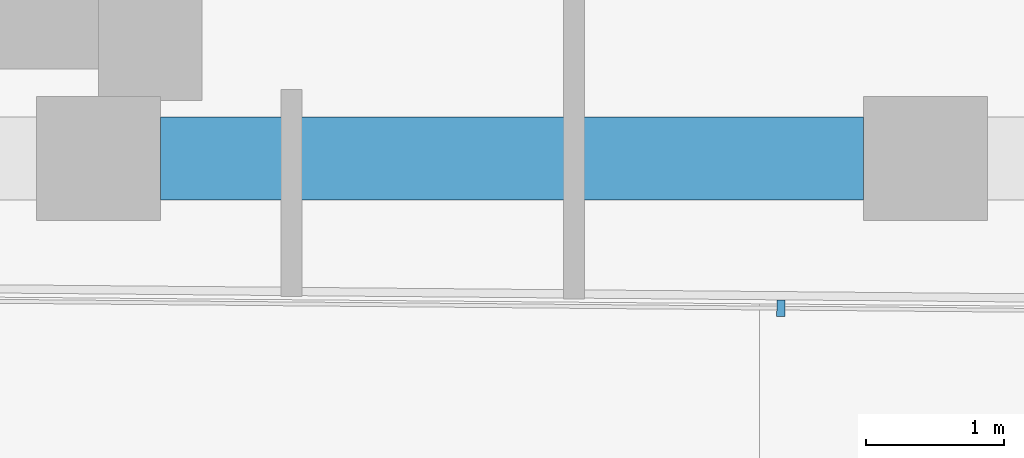
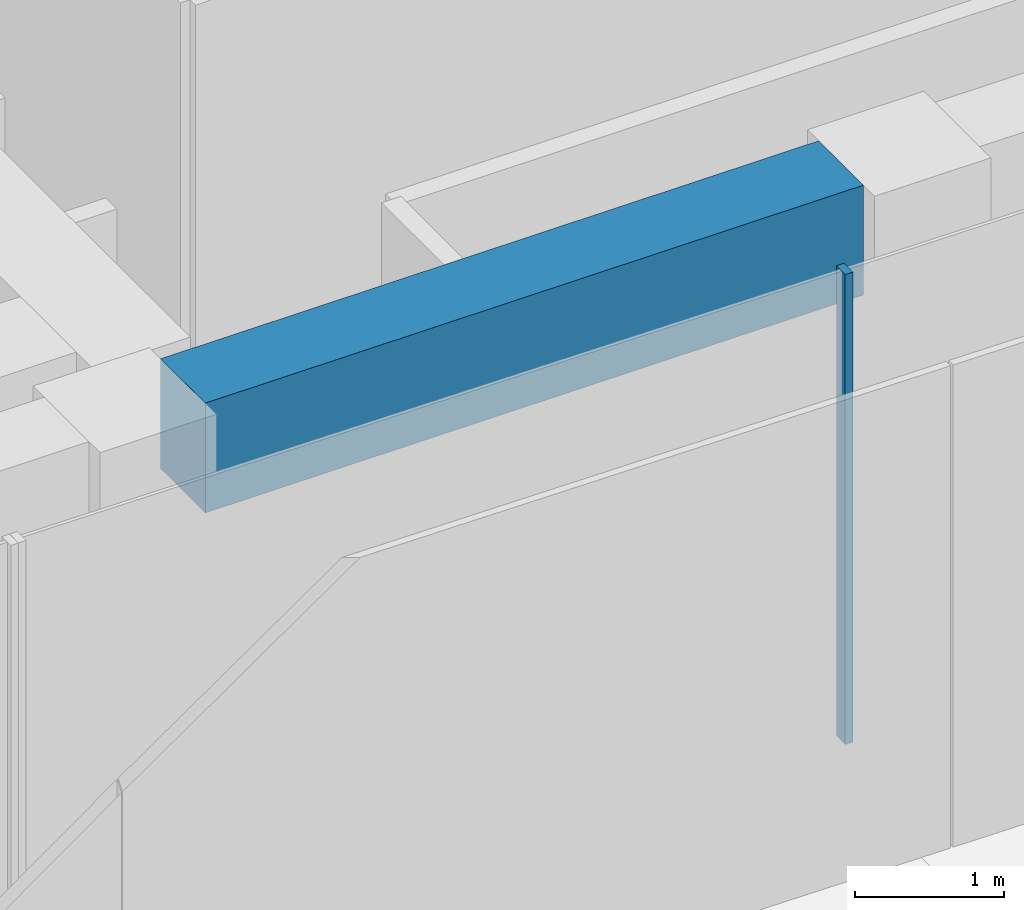
# One storey, part 3 of 23: 1 beam, 1 member, 1 element without a shape of its own.
"""IFC4 building model written with IfcOpenShell, lengths in metres."""

import ifcopenshell
import ifcopenshell.guid

model = None  # the IFC model being written
_history = None  # IfcOwnerHistory: only IFC2X3 demands one
_inside = {}  # id of a spatial element -> (the spatial element, [elements in it])
_under = {}  # id of a project, library or spatial element -> (it, [spatial elements below it])
_declared = {}  # id of a project -> (the project, [libraries it declares])
_typed = {}  # id of a type object -> (the type object, [elements of that type])
_made_of = {}  # id of a material, layer set ... -> (it, [elements and type objects made of it])


def new_model(schema):
    """Start an empty IFC model of exactly this schema.

    Asked for "IFC4X3", IfcOpenShell would pick the latest addendum, in which some entities
    have other attributes; the version numbers below select the first issue.
    IFC2X3 requires an IfcOwnerHistory on every rooted entity: one is made here for all.
    """
    global model, _history
    if schema == "IFC4X3":
        model = ifcopenshell.file(schema_version=(4, 3, 0, 0))
    else:
        model = ifcopenshell.file(schema=schema)
    _inside.clear()
    _under.clear()
    _declared.clear()
    _typed.clear()
    _made_of.clear()
    _history = None
    if model.schema == "IFC2X3":
        org = make("IfcOrganization", Name="unknown")
        user = make(
            "IfcPersonAndOrganization",
            ThePerson=make("IfcPerson", FamilyName="unknown"),
            TheOrganization=org,
        )
        app = make(
            "IfcApplication",
            ApplicationDeveloper=org,
            Version="unknown",
            ApplicationFullName="unknown",
            ApplicationIdentifier="unknown",
        )
        _history = make(
            "IfcOwnerHistory",
            OwningUser=user,
            OwningApplication=app,
            ChangeAction="ADDED",
            CreationDate=0,
        )
    return model


def make(cls, **values):
    """One entity of the class cls with the attributes given. An attribute that is None is left unset."""
    return model.create_entity(
        cls, **{name: value for name, value in values.items() if value is not None}
    )


def rooted(cls, **values):
    """An entity with a GlobalId (a new one), such as an element, a storey or a relation."""
    return make(cls, GlobalId=ifcopenshell.guid.new(), OwnerHistory=_history, **values)


def si_unit(unit_type, name, prefix=None):
    """IfcSIUnit, for example si_unit("LENGTHUNIT", "METRE", prefix="MILLI")."""
    return make("IfcSIUnit", UnitType=unit_type, Prefix=prefix, Name=name)


def assignment(units):
    """IfcUnitAssignment: the units of a project."""
    return None if units is None else make("IfcUnitAssignment", Units=units)


def point(xyz):
    """IfcCartesianPoint."""
    return None if xyz is None else make("IfcCartesianPoint", Coordinates=xyz)


def direction(xyz):
    """IfcDirection."""
    return None if xyz is None else make("IfcDirection", DirectionRatios=xyz)


def frame(location, z_axis=None, x_axis=None):
    """IfcAxis2Placement3D, a coordinate frame: its origin and axes. An axis left out is left unset."""
    return make(
        "IfcAxis2Placement3D",
        Location=point(location),
        Axis=direction(z_axis),
        RefDirection=direction(x_axis),
    )


def frame_2d(location, x_axis=None):
    """IfcAxis2Placement2D, a coordinate frame in the plane: its origin and x axis."""
    return make(
        "IfcAxis2Placement2D", Location=point(location), RefDirection=direction(x_axis)
    )


def origin():
    """The frame at (0, 0, 0) with its axes left unset."""
    return frame((0.0, 0.0, 0.0))


def origin_2d():
    """The frame at (0, 0) in the plane with its x axis left unset."""
    return frame_2d((0.0, 0.0))


def place(relative_to, where):
    """IfcLocalPlacement: puts the frame where relative to a parent placement (None: the world)."""
    return make(
        "IfcLocalPlacement", PlacementRelTo=relative_to, RelativePlacement=where
    )


def context(
    kind, dimensions, precision=None, world=None, true_north=None, identifier=None
):
    """IfcGeometricRepresentationContext, for example the 3D "Model" context."""
    return make(
        "IfcGeometricRepresentationContext",
        ContextIdentifier=identifier,
        ContextType=kind,
        CoordinateSpaceDimension=dimensions,
        Precision=precision,
        WorldCoordinateSystem=world,
        TrueNorth=true_north,
    )


def subcontext(parent, identifier, kind, view, scale=None):
    """IfcGeometricRepresentationSubContext, for example "Body" below "Model"."""
    return make(
        "IfcGeometricRepresentationSubContext",
        ContextIdentifier=identifier,
        ContextType=kind,
        ParentContext=parent,
        TargetScale=scale,
        TargetView=view,
    )


def project(units=None, contexts=None):
    """IfcProject with its units and contexts."""
    return rooted(
        "IfcProject",
        Name="project",
        RepresentationContexts=contexts,
        UnitsInContext=assignment(units),
    )


def spatial(cls, under=None, at=None, **own):
    """A site, building, storey or space (cls), placed at a placement, below another one or the project."""
    s = rooted(cls, ObjectPlacement=at, **own)
    if under is not None:
        _under.setdefault(under.id(), (under, []))[1].append(s)
    return s


def profile(cls, at=None, kind="AREA", **sizes):
    """A parametric profile (cls). Its sizes go by their IFC names, for example OverallWidth=200.0."""
    return make(cls, ProfileType=kind, Position=at, **sizes)


def rectangle(**sizes):
    """IfcRectangleProfileDef."""
    return profile("IfcRectangleProfileDef", **sizes)


def extrude(swept, where, along, depth):
    """IfcExtrudedAreaSolid: the profile swept, set in the frame where, extruded along a direction by depth."""
    return make(
        "IfcExtrudedAreaSolid",
        SweptArea=swept,
        Position=where,
        ExtrudedDirection=direction(along),
        Depth=depth,
    )


def shape(context_of_items, identifier, shape_type, items):
    """IfcShapeRepresentation: the items that make up one representation, for example the "Body"."""
    return make(
        "IfcShapeRepresentation",
        ContextOfItems=context_of_items,
        RepresentationIdentifier=identifier,
        RepresentationType=shape_type,
        Items=items,
    )


def material(Name=None, Category=None):
    """IfcMaterial."""
    return make("IfcMaterial", Name=Name, Category=Category)


def layer(
    of_material, thickness, ventilated=None, Name=None, Category=None, Priority=None
):
    """IfcMaterialLayer: one layer of a wall or slab, of a material (None: an air gap)."""
    return make(
        "IfcMaterialLayer",
        Material=of_material,
        LayerThickness=thickness,
        IsVentilated=ventilated,
        Name=Name,
        Category=Category,
        Priority=Priority,
    )


def layer_set(layers, Name=None):
    """IfcMaterialLayerSet."""
    return make("IfcMaterialLayerSet", MaterialLayers=layers, LayerSetName=Name)


def material_profile(
    of_material, cross_section, Name=None, Category=None, Priority=None
):
    """IfcMaterialProfile: a cross section and its material."""
    return make(
        "IfcMaterialProfile",
        Name=Name,
        Material=of_material,
        Profile=cross_section,
        Priority=Priority,
        Category=Category,
    )


def profile_set(profiles, Name=None, composite=None):
    """IfcMaterialProfileSet."""
    return make(
        "IfcMaterialProfileSet",
        Name=Name,
        MaterialProfiles=profiles,
        CompositeProfile=composite,
    )


def made_of(thing, what):
    """Note that an element or type object is made of a material, layer set ...; save() writes the relation."""
    if what is not None:
        _made_of.setdefault(what.id(), (what, []))[1].append(thing)
    return thing


def type_object(cls, material=None, **own):
    """A type object (cls), such as IfcWallType, which elements share."""
    return made_of(rooted(cls, **own), material)


def element(
    cls,
    number,
    at=None,
    inside=None,
    cuts=None,
    type_object=None,
    material=None,
    context=None,
    identifier="Body",
    shape_type=None,
    held_by="IfcProductDefinitionShape",
    body=None,
    shapes=None,
    **own,
):
    """One element of the class cls, such as IfcWall. Its Tag is "e" and its number.

    at: its placement. inside: the storey or other place that contains it. cuts: it is an
    opening in that element (IfcRelVoidsElement). A single representation is given by context,
    identifier, shape_type and body (its items); several are given by shapes. held_by: the class
    of the entity that holds the representations. save() writes the other relations.
    """
    e = rooted(cls, Tag="e%d" % number, ObjectPlacement=at, **own)
    if body is not None:
        shapes = [shape(context, identifier, shape_type, body)]
    if shapes is not None:
        e.Representation = make(held_by, Representations=shapes)
    if inside is not None:
        _inside.setdefault(inside.id(), (inside, []))[1].append(e)
    if cuts is not None:
        rooted(
            "IfcRelVoidsElement", RelatingBuildingElement=cuts, RelatedOpeningElement=e
        )
    if type_object is not None:
        _typed.setdefault(type_object.id(), (type_object, []))[1].append(e)
    return made_of(e, material)


def aggregate(whole, parts):
    """IfcRelAggregates: a whole, such as a stair, and the parts it consists of."""
    return rooted("IfcRelAggregates", RelatingObject=whole, RelatedObjects=parts)


def save(model, path):
    """Write the relations noted so far, then the file.

    IfcRelAggregates (storeys below a building ...), IfcRelContainedInSpatialStructure (elements
    in a storey), IfcRelDefinesByType, IfcRelAssociatesMaterial and IfcRelDeclares: one each for
    every whole, place, type object, material and project.
    """
    for whole, parts in _under.values():
        aggregate(whole, parts)
    for where, things in _inside.values():
        rooted(
            "IfcRelContainedInSpatialStructure",
            RelatedElements=things,
            RelatingStructure=where,
        )
    for kind, things in _typed.values():
        rooted("IfcRelDefinesByType", RelatedObjects=things, RelatingType=kind)
    for what, things in _made_of.values():
        rooted("IfcRelAssociatesMaterial", RelatedObjects=things, RelatingMaterial=what)
    for by, libraries in _declared.values():
        rooted("IfcRelDeclares", RelatingContext=by, RelatedDefinitions=libraries)
    model.write(path)


model = new_model("IFC4")

# Units and contexts
model_context = context("Model", 3, precision=1e-05, world=origin(), true_north=direction((0.0, 1.0)))
body_context = subcontext(model_context, "Body", "Model", "MODEL_VIEW")
ifc_project = project(units=[si_unit("LENGTHUNIT", "METRE"), si_unit("AREAUNIT", "SQUARE_METRE"), si_unit("VOLUMEUNIT", "CUBIC_METRE"), si_unit("PLANEANGLEUNIT", "RADIAN"), si_unit("MASSUNIT", "GRAM", prefix="KILO")], contexts=[model_context])

# Site, building, storey
site_placement = place(None, origin())
site = spatial("IfcSite", under=ifc_project, at=site_placement, CompositionType="ELEMENT")
building_placement = place(site_placement, origin())
building = spatial("IfcBuilding", under=site, at=building_placement, Name="Welwitschia Terrace Campus", CompositionType="ELEMENT")
storey_placement = place(building_placement, frame((0.0, 0.0, 113.0)))
storey = spatial("IfcBuildingStorey", under=building, at=storey_placement, Name="L25", CompositionType="ELEMENT", Elevation=113.0)

# Curtain wall, member
ifc_material_1 = material(Name="Bronze anodised aluminium", Category="aluminium")
ifc_layer = layer(ifc_material_1, 0.1201171875)
ifc_layer_set = layer_set([ifc_layer], Name="Bronze anodised aluminium")
curtain_wall_type = type_object("IfcCurtainWallType", Name="Curtain wall CW2 tower 6000", PredefinedType="NOTDEFINED", material=ifc_layer_set)
curtain_wall_placement = place(storey_placement, origin())
curtain_wall = element("IfcCurtainWall", 1, at=curtain_wall_placement, inside=storey, type_object=curtain_wall_type, Name="CW L25.5.0", PredefinedType="NOTDEFINED")
ifc_material_2 = material(Name="Bronze anodised aluminium", Category="aluminium")
ifc_material_profile_1 = material_profile(ifc_material_2, rectangle(XDim=0.1201171875, YDim=0.06005859375, at=origin_2d()))
ifc_profile_set_1 = profile_set([ifc_material_profile_1], Name="Bronze anodised aluminium")
member_type = type_object("IfcMemberType", Name="Mullion 60x120", PredefinedType="MULLION", material=ifc_profile_set_1)
member_placement = place(storey_placement, frame((28.950927734375, 2.9140625, 0.0), z_axis=(0.0, 0.0, 1.0), x_axis=(0.008726535498, 0.999961923064, 0.0)))
member = element("IfcMember", 2, at=member_placement, type_object=member_type, Name="Mullion L25.5.0.1", PredefinedType="MULLION", context=body_context, shape_type="SweptSolid", body=[
    extrude(rectangle(XDim=0.1201171875, YDim=0.06005859375, at=origin_2d()), origin(), (0.0, 0.0, 1.0), 3.85009765625),
])
aggregate(curtain_wall, [member])

# Beam
ifc_material_3 = material(Name="Concrete C60/75", Category="concrete")
ifc_material_profile_2 = material_profile(ifc_material_3, rectangle(XDim=0.60009765625, YDim=0.89990234375, at=origin_2d()))
ifc_profile_set_2 = profile_set([ifc_material_profile_2], Name="Concrete C60/75")
beam_type = type_object("IfcBeamType", Name="Ring spandrel 600x900", PredefinedType="SPANDREL", material=ifc_profile_set_2)
beam_placement = place(storey_placement, frame((24.450439453125, 4.0, 3.39990234375), z_axis=(1.0, 0.0, 0.0), x_axis=(0.0, 1.0, 0.0)))
element("IfcBeam", 3, at=beam_placement, inside=storey, type_object=beam_type, Name="Spandrel SP2", PredefinedType="SPANDREL", context=body_context, shape_type="SweptSolid", body=[
    extrude(rectangle(XDim=0.60009765625, YDim=0.89990234375, at=origin_2d()), origin(), (0.0, 0.0, 1.0), 5.09912109375),
])

save(model, "model.ifc")
